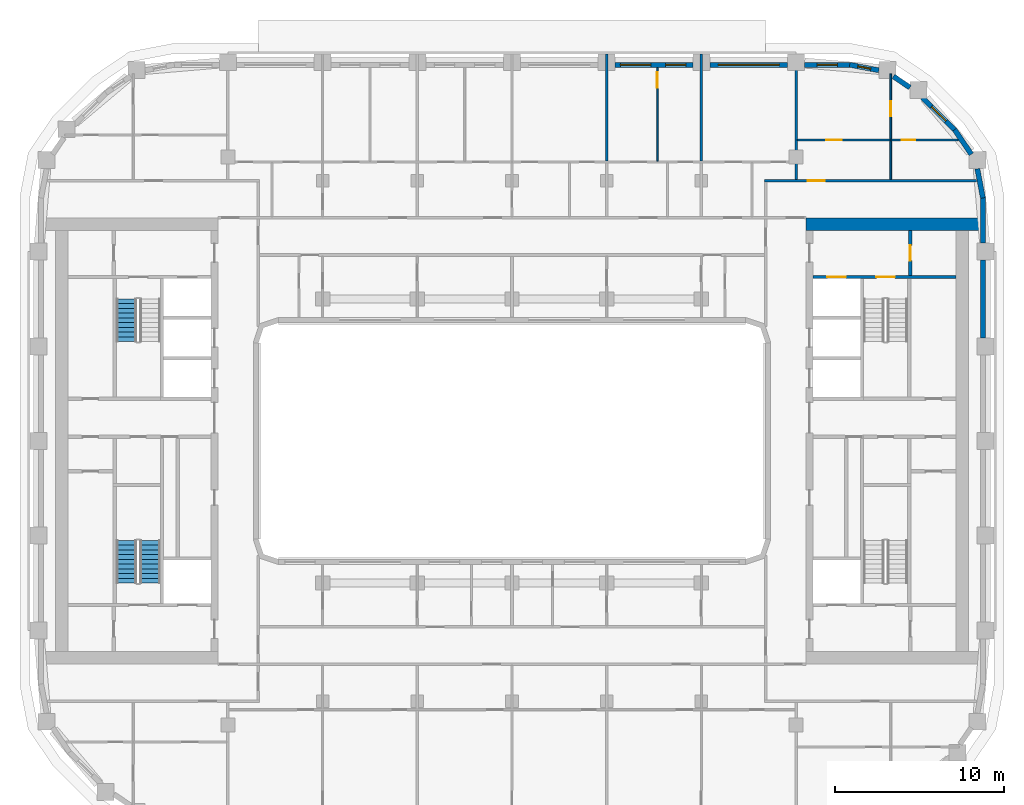
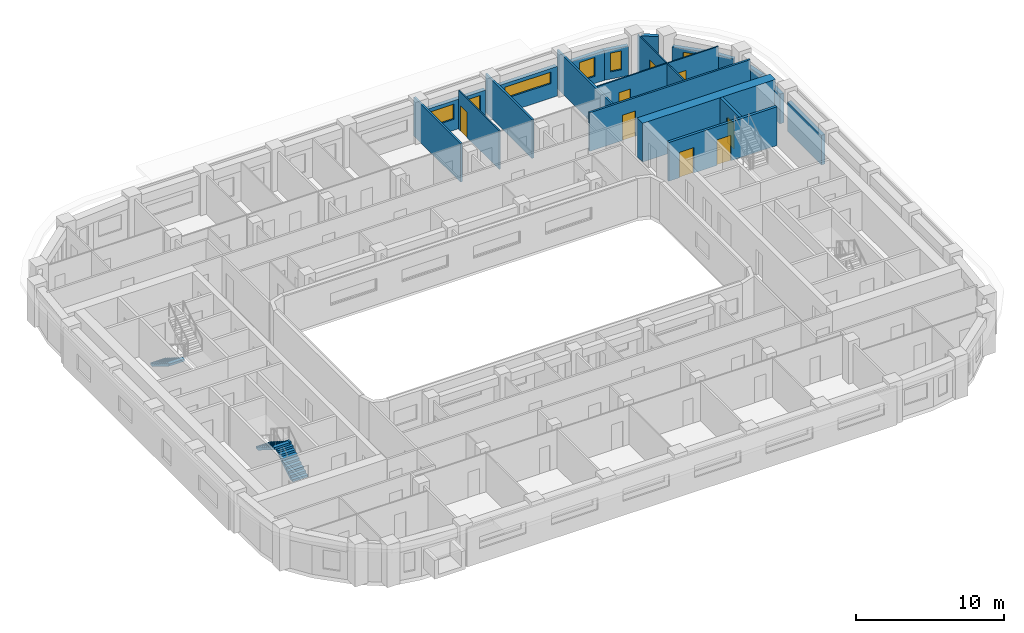
# One storey, part 9 of 22: 21 walls, 8 doors, 6 windows, 3 stair flights, 14 openings, 2 elements without a shape of their own.
"""IFC4 building model written with IfcOpenShell, lengths in metres."""

from ifc_helpers import new_model, si_unit, direction, frame, frame_2d, origin, place, context, subcontext, project, spatial, polyline, rectangle, outline, extrude, material, layer, layer_set, type_object, element, fill, aggregate, save


model = new_model("IFC4")

# Units and contexts
model_context = context("Model", 3, precision=1e-05, world=origin(), true_north=direction((0.0, 1.0)))
body_context = subcontext(model_context, "Body", "Model", "MODEL_VIEW")
ifc_project = project(units=[si_unit("LENGTHUNIT", "METRE"), si_unit("AREAUNIT", "SQUARE_METRE"), si_unit("VOLUMEUNIT", "CUBIC_METRE"), si_unit("PLANEANGLEUNIT", "RADIAN"), si_unit("MASSUNIT", "GRAM", prefix="KILO")], contexts=[model_context])

# Site, building, storey
site_placement = place(None, origin())
site = spatial("IfcSite", under=ifc_project, at=site_placement, CompositionType="ELEMENT")
building_placement = place(site_placement, origin())
building = spatial("IfcBuilding", under=site, at=building_placement, Name="Kiln Ring Residences", CompositionType="ELEMENT")
storey_placement = place(building_placement, frame((0.0, 0.0, 171.10009765625)))
storey = spatial("IfcBuildingStorey", under=building, at=storey_placement, Name="L44", CompositionType="ELEMENT", Elevation=171.10009765625)

# Wall, opening, door
ifc_material_1 = material(Name="Gypsum board on steel studs", Category="steel")
ifc_layer_1 = layer(ifc_material_1, 0.199951171875)
ifc_layer_set_1 = layer_set([ifc_layer_1], Name="CORE-PARTITION-200")
wall_type_1 = type_object("IfcWallType", Name="CORE-PARTITION-200", PredefinedType="PARTITIONING", material=ifc_layer_set_1)
wall_1_placement = place(storey_placement, frame((23.550048828125, 9.800048828125, 0.0), z_axis=(0.0, 0.0, 1.0), x_axis=(0.0, 1.0, 0.0)))
wall_1 = element("IfcWall", 1, at=wall_1_placement, inside=storey, type_object=wall_type_1, Name="Core partition east L44 4", PredefinedType="PARTITIONING", context=body_context, shape_type="SweptSolid", body=[
    extrude(rectangle(XDim=2.64990234375, YDim=0.199951171875, at=frame_2d((1.324951171875, 0.0))), origin(), (0.0, 0.0, 1.0), 3.199951171875),
])
opening_1_placement = place(wall_1_placement, frame((0.875, 0.0, 0.0)))
opening_1 = element("IfcOpeningElement", 2, at=opening_1_placement, cuts=wall_1, Name="Opening L44-CE09", PredefinedType="OPENING", context=body_context, shape_type="SweptSolid", body=[
    extrude(rectangle(XDim=0.89990234375, YDim=2.10009765625, at=frame_2d((0.449951171875, 1.050048828125))), frame((0.0, 0.10986328125, 0.0), z_axis=(0.0, -1.0, 0.0), x_axis=(1.0, 0.0, 0.0)), (0.0, 0.0, 1.0), 0.219970703125),
])
ifc_material_2 = material(Name="Steel door leaf", Category="steel")
door_type_1 = type_object("IfcDoorType", Name="CORE-DOOR-ROOM", OperationType="SINGLE_SWING_LEFT", PredefinedType="DOOR", material=ifc_material_2)
door_1_placement = place(opening_1_placement, origin())
door_1 = element("IfcDoor", 3, at=door_1_placement, inside=storey, type_object=door_type_1, Name="Fire riser room L44-CE09", OperationType="SINGLE_SWING_RIGHT", OverallHeight=2.10009765625, OverallWidth=0.89990234375, PredefinedType="DOOR", context=body_context, shape_type="SweptSolid", body=[
    extrude(rectangle(XDim=0.89990234375, YDim=2.10009765625, at=frame_2d((0.449951171875, 1.050048828125))), frame((0.0, 0.02490234375, 0.0), z_axis=(0.0, -1.0, 0.0), x_axis=(1.0, 0.0, 0.0)), (0.0, 0.0, 1.0), 0.050048828125),
])
fill(opening_1, door_1)

# Wall, openings, doors
ifc_material_3 = material(Name="Concrete C40/50", Category="concrete")
ifc_layer_2 = layer(ifc_material_3, 0.199951171875)
ifc_layer_set_2 = layer_set([ifc_layer_2], Name="CORE-WALL-RC200")
wall_type_2 = type_object("IfcWallType", Name="CORE-WALL-RC200", PredefinedType="SHEAR", material=ifc_layer_set_2)
wall_2_placement = place(storey_placement, frame((17.800048828125, 9.699951171875, 0.0), z_axis=(0.0, 0.0, 1.0), x_axis=(1.0, 0.0, 0.0)))
wall_2 = element("IfcWall", 4, at=wall_2_placement, inside=storey, type_object=wall_type_2, Name="Core wall east L44 9", PredefinedType="SHEAR", context=body_context, shape_type="SweptSolid", body=[
    extrude(rectangle(XDim=8.449951171875, YDim=0.199951171875, at=frame_2d((4.22509765625, 0.0))), origin(), (0.0, 0.0, 1.0), 3.199951171875),
])
opening_2_placement = place(wall_2_placement, frame((0.85009765625, 0.0, 0.0)))
opening_2 = element("IfcOpeningElement", 5, at=opening_2_placement, cuts=wall_2, Name="Opening L44-CE06", PredefinedType="OPENING", context=body_context, shape_type="SweptSolid", body=[
    extrude(rectangle(XDim=1.10009765625, YDim=2.10009765625, at=frame_2d((0.550048828125, 1.050048828125))), frame((0.0, 0.10986328125, 0.0), z_axis=(0.0, -1.0, 0.0), x_axis=(1.0, 0.0, 0.0)), (0.0, 0.0, 1.0), 0.219970703125),
])
opening_3_placement = place(wall_2_placement, frame((3.75, 0.0, 0.0)))
opening_3 = element("IfcOpeningElement", 6, at=opening_3_placement, cuts=wall_2, Name="Opening L44-CE11", PredefinedType="OPENING", context=body_context, shape_type="SweptSolid", body=[
    extrude(rectangle(XDim=1.10009765625, YDim=2.10009765625, at=frame_2d((0.550048828125, 1.050048828125))), frame((0.0, 0.10986328125, 0.0), z_axis=(0.0, -1.0, 0.0), x_axis=(1.0, 0.0, 0.0)), (0.0, 0.0, 1.0), 0.219970703125),
])
ifc_material_4 = material(Name="Steel door leaf", Category="steel")
door_type_2 = type_object("IfcDoorType", Name="CORE-DOOR-LD", OperationType="DOUBLE_DOOR_SLIDING", PredefinedType="DOOR", material=ifc_material_4)
door_2_placement = place(opening_2_placement, origin())
door_2 = element("IfcDoor", 7, at=door_2_placement, inside=storey, type_object=door_type_2, Name="LD E-FF L44-CE06", OperationType="DOUBLE_DOOR_SLIDING", OverallHeight=2.10009765625, OverallWidth=1.10009765625, PredefinedType="DOOR", context=body_context, shape_type="SweptSolid", body=[
    extrude(rectangle(XDim=1.10009765625, YDim=2.10009765625, at=frame_2d((0.550048828125, 1.050048828125))), frame((0.0, 0.02490234375, 0.0), z_axis=(0.0, -1.0, 0.0), x_axis=(1.0, 0.0, 0.0)), (0.0, 0.0, 1.0), 0.050048828125),
])
fill(opening_2, door_2)
ifc_material_5 = material(Name="Steel door leaf", Category="steel")
door_type_3 = type_object("IfcDoorType", Name="CORE-DOOR-STAIR", OperationType="SINGLE_SWING_LEFT", PredefinedType="DOOR", material=ifc_material_5)
door_3_placement = place(opening_3_placement, origin())
door_3 = element("IfcDoor", 8, at=door_3_placement, inside=storey, type_object=door_type_3, Name="Stair E-STN L44-CE11", OperationType="SINGLE_SWING_RIGHT", OverallHeight=2.10009765625, OverallWidth=1.10009765625, PredefinedType="DOOR", context=body_context, shape_type="SweptSolid", body=[
    extrude(rectangle(XDim=1.10009765625, YDim=2.10009765625, at=frame_2d((0.550048828125, 1.050048828125))), frame((0.0, 0.02490234375, 0.0), z_axis=(0.0, -1.0, 0.0), x_axis=(1.0, 0.0, 0.0)), (0.0, 0.0, 1.0), 0.050048828125),
])
fill(opening_3, door_3)

# Walls
ifc_material_6 = material(Name="Concrete C60/75", Category="concrete")
ifc_layer_3 = layer(ifc_material_6, 0.75)
ifc_layer_set_3 = layer_set([ifc_layer_3], Name="CORE-WALL-RC750")
wall_type_3 = type_object("IfcWallType", Name="CORE-WALL-RC750", PredefinedType="SHEAR", material=ifc_layer_set_3)
wall_3_placement = place(storey_placement, frame((17.39990234375, 12.824951171875, 0.0), z_axis=(0.0, 0.0, 1.0), x_axis=(1.0, 0.0, 0.0)))
element("IfcWall", 9, at=wall_3_placement, inside=storey, type_object=wall_type_3, Name="Core wall east L44 4", PredefinedType="SHEAR", context=body_context, shape_type="SweptSolid", body=[
    extrude(rectangle(XDim=10.400146484375, YDim=0.75, at=frame_2d((5.2001953125, 0.0))), origin(), (0.0, 0.0, 1.0), 3.199951171875),
])
ifc_material_7 = material(Name="Brick masonry, dark clay brick", Category="masonry")
ifc_layer_4 = layer(ifc_material_7, 0.300048828125)
ifc_layer_set_4 = layer_set([ifc_layer_4], Name="EW-300 BRICK WALL")
wall_type_4 = type_object("IfcWallType", Name="EW-300 BRICK WALL", PredefinedType="SOLIDWALL", material=ifc_layer_set_4)
wall_4_placement = place(storey_placement, frame((27.85009765625, 6.10009765625, 0.0), z_axis=(0.0, 0.0, 1.0), x_axis=(0.0, 1.0, 0.0)))
element("IfcWall", 10, at=wall_4_placement, inside=storey, type_object=wall_type_4, Name="Facade wall L44 21", PredefinedType="SOLIDWALL", context=body_context, shape_type="SweptSolid", body=[
    extrude(rectangle(XDim=4.599853515625, YDim=0.300048828125, at=frame_2d((2.2998046875, 0.0))), origin(), (0.0, 0.0, 1.0), 2.449951171875),
])
wall_5_placement = place(storey_placement, frame((27.85009765625, 11.699951171875, 0.0), z_axis=(0.0, 0.0, 1.0), x_axis=(0.0, 1.0, 0.0)))
element("IfcWall", 11, at=wall_5_placement, inside=storey, type_object=wall_type_4, Name="Facade wall L44 22", PredefinedType="SOLIDWALL", context=body_context, shape_type="SweptSolid", body=[
    extrude(rectangle(XDim=2.699951171875, YDim=0.300048828125, at=frame_2d((1.35009765625, 0.0))), origin(), (0.0, 0.0, 1.0), 2.449951171875),
])
for number, where, z_axis, x_axis, name in (
    (12, (27.8525390625, 14.371826171875, 0.0), (0.0, 0.0, 1.0), (-0.187259034321, 0.982310569049, 0.0), "Facade wall L44 23"),
    (13, (27.166015625, 16.96044921875, 0.0), (0.0, 0.0, 1.0), (-0.562089443061, 0.82707645233, 0.0), "Facade wall L44 24"),
):
    element("IfcWall", number, at=place(storey_placement, frame(where, z_axis=z_axis, x_axis=x_axis)), inside=storey, type_object=wall_type_4, Name=name, PredefinedType="SOLIDWALL", context=body_context, shape_type="SweptSolid", body=[
        extrude(rectangle(XDim=1.756103515625, YDim=0.300048828125, at=frame_2d((0.8779296875, 0.0))), origin(), (0.0, 0.0, 1.0), 2.449951171875),
    ])

# Wall, opening, window
wall_6_placement = place(storey_placement, frame((26.19677734375, 18.390869140625, 0.0), z_axis=(0.0, 0.0, 1.0), x_axis=(-0.707061571201, 0.707151988282, 0.0)))
wall_6 = element("IfcWall", 14, at=wall_6_placement, inside=storey, type_object=wall_type_4, Name="Facade wall L44 25", PredefinedType="SOLIDWALL", context=body_context, shape_type="SweptSolid", body=[
    extrude(rectangle(XDim=2.7001953125, YDim=0.300048828125, at=frame_2d((1.35009765625, 0.0))), origin(), (0.0, 0.0, 1.0), 2.449951171875),
])
opening_4_placement = place(wall_6_placement, frame((0.75, 0.0, 0.60009765625)))
opening_4 = element("IfcOpeningElement", 15, at=opening_4_placement, cuts=wall_6, Name="Opening W1", PredefinedType="OPENING", context=body_context, shape_type="SweptSolid", body=[
    extrude(rectangle(XDim=1.199951171875, YDim=1.550048828125, at=frame_2d((0.60009765625, 0.77490234375))), frame((0.0, 0.159912109375, 0.0), z_axis=(0.0, -1.0, 0.0), x_axis=(1.0, 0.0, 0.0)), (0.0, 0.0, 1.0), 0.320068359375),
])
ifc_material_8 = material(Name="Aluminium frame with double glazing", Category="aluminium")
window_type_1 = type_object("IfcWindowType", Name="WINDOW 1200 x 1550", PartitioningType="SINGLE_PANEL", PredefinedType="WINDOW", material=ifc_material_8)
window_1_placement = place(opening_4_placement, origin())
window_1 = element("IfcWindow", 16, at=window_1_placement, inside=storey, type_object=window_type_1, Name="Window L44 14", OverallHeight=1.550048828125, OverallWidth=1.199951171875, PartitioningType="SINGLE_PANEL", PredefinedType="WINDOW", context=body_context, shape_type="SweptSolid", body=[
    extrude(rectangle(XDim=1.199951171875, YDim=1.550048828125, at=frame_2d((0.60009765625, 0.77490234375))), frame((0.0, 0.030029296875, 0.0), z_axis=(0.0, -1.0, 0.0), x_axis=(1.0, 0.0, 0.0)), (0.0, 0.0, 1.0), 0.06005859375),
])
fill(opening_4, window_1)

# Wall
wall_7_placement = place(storey_placement, frame((23.533935546875, 20.904296875, 0.0), z_axis=(0.0, 0.0, 1.0), x_axis=(-0.827103906596, 0.56204904385, 0.0)))
element("IfcWall", 17, at=wall_7_placement, inside=storey, type_object=wall_type_4, Name="Facade wall L44 26", PredefinedType="SOLIDWALL", context=body_context, shape_type="SweptSolid", body=[
    extrude(rectangle(XDim=1.17724609375, YDim=0.300048828125, at=frame_2d((0.588623046875, 0.0))), origin(), (0.0, 0.0, 1.0), 3.199951171875),
])

# Wall, opening, window
wall_8_placement = place(storey_placement, frame((21.697021484375, 21.923583984375, 0.0), z_axis=(0.0, 0.0, 1.0), x_axis=(-0.982284988433, 0.187393173565, 0.0)))
wall_8 = element("IfcWall", 18, at=wall_8_placement, inside=storey, type_object=wall_type_4, Name="Facade wall L44 27", PredefinedType="SOLIDWALL", context=body_context, shape_type="SweptSolid", body=[
    extrude(rectangle(XDim=1.756103515625, YDim=0.300048828125, at=frame_2d((0.8779296875, 0.0))), origin(), (0.0, 0.0, 1.0), 2.449951171875),
])
opening_5_placement = place(wall_8_placement, frame((0.47802734375, 0.0, 0.60009765625)))
opening_5 = element("IfcOpeningElement", 19, at=opening_5_placement, cuts=wall_8, Name="Opening W5", PredefinedType="OPENING", context=body_context, shape_type="SweptSolid", body=[
    extrude(rectangle(XDim=0.800048828125, YDim=1.550048828125, at=frame_2d((0.39990234375, 0.77490234375))), frame((0.0, 0.159912109375, 0.0), z_axis=(0.0, -1.0, 0.0), x_axis=(1.0, 0.0, 0.0)), (0.0, 0.0, 1.0), 0.320068359375),
])
ifc_material_9 = material(Name="Aluminium frame with double glazing", Category="aluminium")
window_type_2 = type_object("IfcWindowType", Name="WINDOW 800 x 1550", PartitioningType="SINGLE_PANEL", PredefinedType="WINDOW", material=ifc_material_9)
window_2_placement = place(opening_5_placement, origin())
window_2 = element("IfcWindow", 20, at=window_2_placement, inside=storey, type_object=window_type_2, Name="Window L44 15", OverallHeight=1.550048828125, OverallWidth=0.800048828125, PartitioningType="SINGLE_PANEL", PredefinedType="WINDOW", context=body_context, shape_type="SweptSolid", body=[
    extrude(rectangle(XDim=0.800048828125, YDim=1.550048828125, at=frame_2d((0.39990234375, 0.77490234375))), frame((0.0, 0.030029296875, 0.0), z_axis=(0.0, -1.0, 0.0), x_axis=(1.0, 0.0, 0.0)), (0.0, 0.0, 1.0), 0.06005859375),
])
fill(opening_5, window_2)

wall_9_placement = place(storey_placement, frame((20.0, 22.25, 0.0), z_axis=(0.0, 0.0, 1.0), x_axis=(-1.0, 0.0, 0.0)))
wall_9 = element("IfcWall", 21, at=wall_9_placement, inside=storey, type_object=wall_type_4, Name="Facade wall L44 28", PredefinedType="SOLIDWALL", context=body_context, shape_type="SweptSolid", body=[
    extrude(rectangle(XDim=2.699951171875, YDim=0.300048828125, at=frame_2d((1.35009765625, 0.0))), origin(), (0.0, 0.0, 1.0), 2.449951171875),
])
opening_6_placement = place(wall_9_placement, frame((0.75, 0.0, 0.60009765625)))
opening_6 = element("IfcOpeningElement", 22, at=opening_6_placement, cuts=wall_9, Name="Opening W1", PredefinedType="OPENING", context=body_context, shape_type="SweptSolid", body=[
    extrude(rectangle(XDim=1.199951171875, YDim=1.550048828125, at=frame_2d((0.60009765625, 0.77490234375))), frame((0.0, 0.159912109375, 0.0), z_axis=(0.0, -1.0, 0.0), x_axis=(1.0, 0.0, 0.0)), (0.0, 0.0, 1.0), 0.320068359375),
])
window_3_placement = place(opening_6_placement, origin())
window_3 = element("IfcWindow", 23, at=window_3_placement, inside=storey, type_object=window_type_1, Name="Window L44 16", OverallHeight=1.550048828125, OverallWidth=1.199951171875, PartitioningType="SINGLE_PANEL", PredefinedType="WINDOW", context=body_context, shape_type="SweptSolid", body=[
    extrude(rectangle(XDim=1.199951171875, YDim=1.550048828125, at=frame_2d((0.60009765625, 0.77490234375))), frame((0.0, 0.030029296875, 0.0), z_axis=(0.0, -1.0, 0.0), x_axis=(1.0, 0.0, 0.0)), (0.0, 0.0, 1.0), 0.06005859375),
])
fill(opening_6, window_3)

wall_10_placement = place(storey_placement, frame((16.300048828125, 22.25, 0.0), z_axis=(0.0, 0.0, 1.0), x_axis=(-1.0, 0.0, 0.0)))
wall_10 = element("IfcWall", 24, at=wall_10_placement, inside=storey, type_object=wall_type_4, Name="Facade wall L44 29", PredefinedType="SOLIDWALL", context=body_context, shape_type="SweptSolid", body=[
    extrude(rectangle(XDim=4.60009765625, YDim=0.300048828125, at=frame_2d((2.300048828125, 0.0))), origin(), (0.0, 0.0, 1.0), 2.449951171875),
])
opening_7_placement = place(wall_10_placement, frame((0.5, 0.0, 1.199951171875)))
opening_7 = element("IfcOpeningElement", 25, at=opening_7_placement, cuts=wall_10, Name="Opening W4", PredefinedType="OPENING", context=body_context, shape_type="SweptSolid", body=[
    extrude(rectangle(XDim=3.60009765625, YDim=0.949951171875, at=frame_2d((1.800048828125, 0.47509765625))), frame((0.0, 0.159912109375, 0.0), z_axis=(0.0, -1.0, 0.0), x_axis=(1.0, 0.0, 0.0)), (0.0, 0.0, 1.0), 0.320068359375),
])
ifc_material_10 = material(Name="Aluminium frame with double glazing", Category="aluminium")
window_type_3 = type_object("IfcWindowType", Name="WINDOW 3600 x 950", PartitioningType="SINGLE_PANEL", PredefinedType="WINDOW", material=ifc_material_10)
window_4_placement = place(opening_7_placement, origin())
window_4 = element("IfcWindow", 26, at=window_4_placement, inside=storey, type_object=window_type_3, Name="Window L44 17", OverallHeight=0.949951171875, OverallWidth=3.60009765625, PartitioningType="SINGLE_PANEL", PredefinedType="WINDOW", context=body_context, shape_type="SweptSolid", body=[
    extrude(rectangle(XDim=3.60009765625, YDim=0.949951171875, at=frame_2d((1.800048828125, 0.47509765625))), frame((0.0, 0.030029296875, 0.0), z_axis=(0.0, -1.0, 0.0), x_axis=(1.0, 0.0, 0.0)), (0.0, 0.0, 1.0), 0.06005859375),
])
fill(opening_7, window_4)

# Wall, openings, windows
wall_11_placement = place(storey_placement, frame((10.699951171875, 22.25, 0.0), z_axis=(0.0, 0.0, 1.0), x_axis=(-1.0, 0.0, 0.0)))
wall_11 = element("IfcWall", 27, at=wall_11_placement, inside=storey, type_object=wall_type_4, Name="Facade wall L44 30", PredefinedType="SOLIDWALL", context=body_context, shape_type="SweptSolid", body=[
    extrude(rectangle(XDim=4.599853515625, YDim=0.300048828125, at=frame_2d((2.2998046875, 0.0))), origin(), (0.0, 0.0, 1.0), 2.449951171875),
])
opening_8_placement = place(wall_11_placement, frame((0.41259765625, 0.0, 0.60009765625)))
opening_8 = element("IfcOpeningElement", 28, at=opening_8_placement, cuts=wall_11, Name="Opening W1", PredefinedType="OPENING", context=body_context, shape_type="SweptSolid", body=[
    extrude(rectangle(XDim=1.199951171875, YDim=1.550048828125, at=frame_2d((0.60009765625, 0.77490234375))), frame((0.0, 0.159912109375, 0.0), z_axis=(0.0, -1.0, 0.0), x_axis=(1.0, 0.0, 0.0)), (0.0, 0.0, 1.0), 0.320068359375),
])
opening_9_placement = place(wall_11_placement, frame((2.487548828125, 0.0, 0.89990234375)))
opening_9 = element("IfcOpeningElement", 29, at=opening_9_placement, cuts=wall_11, Name="Opening W2", PredefinedType="OPENING", context=body_context, shape_type="SweptSolid", body=[
    extrude(rectangle(XDim=1.800048828125, YDim=1.25, at=frame_2d((0.89990234375, 0.625))), frame((0.0, 0.159912109375, 0.0), z_axis=(0.0, -1.0, 0.0), x_axis=(1.0, 0.0, 0.0)), (0.0, 0.0, 1.0), 0.320068359375),
])
window_5_placement = place(opening_8_placement, origin())
window_5 = element("IfcWindow", 30, at=window_5_placement, inside=storey, type_object=window_type_1, Name="Window L44 18", OverallHeight=1.550048828125, OverallWidth=1.199951171875, PartitioningType="SINGLE_PANEL", PredefinedType="WINDOW", context=body_context, shape_type="SweptSolid", body=[
    extrude(rectangle(XDim=1.199951171875, YDim=1.550048828125, at=frame_2d((0.60009765625, 0.77490234375))), frame((0.0, 0.030029296875, 0.0), z_axis=(0.0, -1.0, 0.0), x_axis=(1.0, 0.0, 0.0)), (0.0, 0.0, 1.0), 0.06005859375),
])
fill(opening_8, window_5)
ifc_material_11 = material(Name="Aluminium frame with double glazing", Category="aluminium")
window_type_4 = type_object("IfcWindowType", Name="WINDOW 1800 x 1250", PartitioningType="SINGLE_PANEL", PredefinedType="WINDOW", material=ifc_material_11)
window_6_placement = place(opening_9_placement, origin())
window_6 = element("IfcWindow", 31, at=window_6_placement, inside=storey, type_object=window_type_4, Name="Window L44 19", OverallHeight=1.25, OverallWidth=1.800048828125, PartitioningType="SINGLE_PANEL", PredefinedType="WINDOW", context=body_context, shape_type="SweptSolid", body=[
    extrude(rectangle(XDim=1.800048828125, YDim=1.25, at=frame_2d((0.89990234375, 0.625))), frame((0.0, 0.030029296875, 0.0), z_axis=(0.0, -1.0, 0.0), x_axis=(1.0, 0.0, 0.0)), (0.0, 0.0, 1.0), 0.06005859375),
])
fill(opening_9, window_6)

# Wall, openings, doors
ifc_material_12 = material(Name="Gypsum board on steel studs", Category="steel")
ifc_layer_5 = layer(ifc_material_12, 0.10009765625)
ifc_layer_set_5 = layer_set([ifc_layer_5], Name="PARTITION-100")
wall_type_5 = type_object("IfcWallType", Name="PARTITION-100", PredefinedType="PARTITIONING", material=ifc_layer_set_5)
wall_12_placement = place(storey_placement, frame((16.875, 17.800048828125, 0.0), z_axis=(0.0, 0.0, 1.0), x_axis=(1.0, 0.0, 0.0)))
wall_12 = element("IfcWall", 32, at=wall_12_placement, inside=storey, type_object=wall_type_5, Name="Partition 012", PredefinedType="PARTITIONING", context=body_context, shape_type="SweptSolid", body=[
    extrude(rectangle(XDim=9.51904296875, YDim=0.10009765625, at=frame_2d((4.759521484375, 0.0))), origin(), (0.0, 0.0, 1.0), 3.199951171875),
])
opening_10_placement = place(wall_12_placement, frame((6.175048828125, 0.0, 0.0)))
opening_10 = element("IfcOpeningElement", 33, at=opening_10_placement, cuts=wall_12, Name="Opening L44-D037", PredefinedType="OPENING", context=body_context, shape_type="SweptSolid", body=[
    extrude(rectangle(XDim=0.800048828125, YDim=2.10009765625, at=frame_2d((0.39990234375, 1.050048828125))), frame((0.0, 0.06005859375, 0.0), z_axis=(0.0, -1.0, 0.0), x_axis=(1.0, 0.0, 0.0)), (0.0, 0.0, 1.0), 0.1201171875),
])
opening_11_placement = place(wall_12_placement, frame((1.72509765625, 0.0, 0.0)))
opening_11 = element("IfcOpeningElement", 34, at=opening_11_placement, cuts=wall_12, Name="Opening L44-D038", PredefinedType="OPENING", context=body_context, shape_type="SweptSolid", body=[
    extrude(rectangle(XDim=0.89990234375, YDim=2.10009765625, at=frame_2d((0.449951171875, 1.050048828125))), frame((0.0, 0.06005859375, 0.0), z_axis=(0.0, -1.0, 0.0), x_axis=(1.0, 0.0, 0.0)), (0.0, 0.0, 1.0), 0.1201171875),
])
ifc_material_13 = material(Name="Timber door leaf", Category="wood")
door_type_4 = type_object("IfcDoorType", Name="FLAT-DOOR-800-PL", OperationType="SINGLE_SWING_LEFT", PredefinedType="DOOR", material=ifc_material_13)
door_4_placement = place(opening_10_placement, origin())
door_4 = element("IfcDoor", 35, at=door_4_placement, inside=storey, type_object=door_type_4, Name="Door L44-D037", OperationType="SINGLE_SWING_LEFT", OverallHeight=2.10009765625, OverallWidth=0.800048828125, PredefinedType="DOOR", context=body_context, shape_type="SweptSolid", body=[
    extrude(rectangle(XDim=0.800048828125, YDim=2.10009765625, at=frame_2d((0.39990234375, 1.050048828125))), frame((0.0, 0.02490234375, 0.0), z_axis=(0.0, -1.0, 0.0), x_axis=(1.0, 0.0, 0.0)), (0.0, 0.0, 1.0), 0.050048828125),
])
fill(opening_10, door_4)
ifc_material_14 = material(Name="Timber door leaf", Category="wood")
door_type_5 = type_object("IfcDoorType", Name="FLAT-DOOR-900-PL", OperationType="SINGLE_SWING_LEFT", PredefinedType="DOOR", material=ifc_material_14)
door_5_placement = place(opening_11_placement, origin())
door_5 = element("IfcDoor", 36, at=door_5_placement, inside=storey, type_object=door_type_5, Name="Door L44-D038", OperationType="SINGLE_SWING_RIGHT", OverallHeight=2.10009765625, OverallWidth=0.89990234375, PredefinedType="DOOR", context=body_context, shape_type="SweptSolid", body=[
    extrude(rectangle(XDim=0.89990234375, YDim=2.10009765625, at=frame_2d((0.449951171875, 1.050048828125))), frame((0.0, 0.02490234375, 0.0), z_axis=(0.0, -1.0, 0.0), x_axis=(1.0, 0.0, 0.0)), (0.0, 0.0, 1.0), 0.050048828125),
])
fill(opening_11, door_5)

# Wall, opening, door
wall_13_placement = place(storey_placement, frame((8.60009765625, 16.550048828125, 0.0), z_axis=(0.0, 0.0, 1.0), x_axis=(0.0, 1.0, 0.0)))
wall_13 = element("IfcWall", 37, at=wall_13_placement, inside=storey, type_object=wall_type_5, Name="Partition 055", PredefinedType="PARTITIONING", context=body_context, shape_type="SweptSolid", body=[
    extrude(rectangle(XDim=5.530029296875, YDim=0.10009765625, at=frame_2d((2.76513671875, 0.0))), origin(), (0.0, 0.0, 1.0), 3.199951171875),
])
opening_12_placement = place(wall_13_placement, frame((4.35009765625, 0.0, 0.0)))
opening_12 = element("IfcOpeningElement", 38, at=opening_12_placement, cuts=wall_13, Name="Opening L44-D032", PredefinedType="OPENING", context=body_context, shape_type="SweptSolid", body=[
    extrude(rectangle(XDim=0.89990234375, YDim=2.10009765625, at=frame_2d((0.449951171875, 1.050048828125))), frame((0.0, 0.06005859375, 0.0), z_axis=(0.0, -1.0, 0.0), x_axis=(1.0, 0.0, 0.0)), (0.0, 0.0, 1.0), 0.1201171875),
])
door_6_placement = place(opening_12_placement, origin())
door_6 = element("IfcDoor", 39, at=door_6_placement, inside=storey, type_object=door_type_5, Name="Door L44-D032", OperationType="SINGLE_SWING_RIGHT", OverallHeight=2.10009765625, OverallWidth=0.89990234375, PredefinedType="DOOR", context=body_context, shape_type="SweptSolid", body=[
    extrude(rectangle(XDim=0.89990234375, YDim=2.10009765625, at=frame_2d((0.449951171875, 1.050048828125))), frame((0.0, 0.02490234375, 0.0), z_axis=(0.0, -1.0, 0.0), x_axis=(1.0, 0.0, 0.0)), (0.0, 0.0, 1.0), 0.050048828125),
])
fill(opening_12, door_6)

# Wall
wall_14_placement = place(storey_placement, frame((22.39990234375, 15.47509765625, 0.0), z_axis=(0.0, 0.0, 1.0), x_axis=(0.0, 1.0, 0.0)))
element("IfcWall", 40, at=wall_14_placement, inside=storey, type_object=wall_type_5, Name="Partition 073", PredefinedType="PARTITIONING", context=body_context, shape_type="SweptSolid", body=[
    extrude(rectangle(XDim=2.27490234375, YDim=0.10009765625, at=frame_2d((1.137451171875, 0.0))), origin(), (0.0, 0.0, 1.0), 3.199951171875),
])

# Wall, opening, door
wall_15_placement = place(storey_placement, frame((22.39990234375, 17.85009765625, 0.0), z_axis=(0.0, 0.0, 1.0), x_axis=(0.0, 1.0, 0.0)))
wall_15 = element("IfcWall", 41, at=wall_15_placement, inside=storey, type_object=wall_type_5, Name="Partition 074", PredefinedType="PARTITIONING", context=body_context, shape_type="SweptSolid", body=[
    extrude(rectangle(XDim=3.869873046875, YDim=0.10009765625, at=frame_2d((1.93505859375, 0.0))), origin(), (0.0, 0.0, 1.0), 3.199951171875),
])
opening_13_placement = place(wall_15_placement, frame((1.35009765625, 0.0, 0.0)))
opening_13 = element("IfcOpeningElement", 42, at=opening_13_placement, cuts=wall_15, Name="Opening L44-D039", PredefinedType="OPENING", context=body_context, shape_type="SweptSolid", body=[
    extrude(rectangle(XDim=0.89990234375, YDim=2.10009765625, at=frame_2d((0.449951171875, 1.050048828125))), frame((0.0, 0.06005859375, 0.0), z_axis=(0.0, -1.0, 0.0), x_axis=(1.0, 0.0, 0.0)), (0.0, 0.0, 1.0), 0.1201171875),
])
door_7_placement = place(opening_13_placement, origin())
door_7 = element("IfcDoor", 43, at=door_7_placement, inside=storey, type_object=door_type_5, Name="Door L44-D039", OperationType="SINGLE_SWING_LEFT", OverallHeight=2.10009765625, OverallWidth=0.89990234375, PredefinedType="DOOR", context=body_context, shape_type="SweptSolid", body=[
    extrude(rectangle(XDim=0.89990234375, YDim=2.10009765625, at=frame_2d((0.449951171875, 1.050048828125))), frame((0.0, 0.02490234375, 0.0), z_axis=(0.0, -1.0, 0.0), x_axis=(1.0, 0.0, 0.0)), (0.0, 0.0, 1.0), 0.050048828125),
])
fill(opening_13, door_7)

ifc_material_15 = material(Name="Brick masonry partition", Category="masonry")
ifc_layer_6 = layer(ifc_material_15, 0.14990234375)
ifc_layer_set_6 = layer_set([ifc_layer_6], Name="PARTITION-150-ei60")
wall_type_6 = type_object("IfcWallType", Name="PARTITION-150-ei60", PredefinedType="PARTITIONING", material=ifc_layer_set_6)
wall_16_placement = place(storey_placement, frame((14.925048828125, 15.39990234375, 0.0), z_axis=(0.0, 0.0, 1.0), x_axis=(1.0, 0.0, 0.0)))
wall_16 = element("IfcWall", 44, at=wall_16_placement, inside=storey, type_object=wall_type_6, Name="Partition 010", PredefinedType="PARTITIONING", context=body_context, shape_type="SweptSolid", body=[
    extrude(rectangle(XDim=12.558837890625, YDim=0.14990234375, at=frame_2d((6.279296875, 0.0))), origin(), (0.0, 0.0, 1.0), 3.199951171875),
])
opening_14_placement = place(wall_16_placement, frame((2.574951171875, 0.0, 0.0)))
opening_14 = element("IfcOpeningElement", 45, at=opening_14_placement, cuts=wall_16, Name="Opening L44-D036", PredefinedType="OPENING", context=body_context, shape_type="SweptSolid", body=[
    extrude(rectangle(XDim=1.0, YDim=2.10009765625, at=frame_2d((0.5, 1.050048828125))), frame((0.0, 0.0849609375, 0.0), z_axis=(0.0, -1.0, 0.0), x_axis=(1.0, 0.0, 0.0)), (0.0, 0.0, 1.0), 0.169921875),
])
ifc_material_16 = material(Name="Steel faced fire door leaf", Category="steel")
door_type_6 = type_object("IfcDoorType", Name="FLAT-DOOR-1000-FR", OperationType="SINGLE_SWING_LEFT", PredefinedType="DOOR", material=ifc_material_16)
door_8_placement = place(opening_14_placement, origin())
door_8 = element("IfcDoor", 46, at=door_8_placement, inside=storey, type_object=door_type_6, Name="Door L44-D036", OperationType="SINGLE_SWING_RIGHT", OverallHeight=2.10009765625, OverallWidth=1.0, PredefinedType="DOOR", context=body_context, shape_type="SweptSolid", body=[
    extrude(rectangle(XDim=1.0, YDim=2.10009765625, at=frame_2d((0.5, 1.050048828125))), frame((0.0, 0.02490234375, 0.0), z_axis=(0.0, -1.0, 0.0), x_axis=(1.0, 0.0, 0.0)), (0.0, 0.0, 1.0), 0.050048828125),
])
fill(opening_14, door_8)

# Walls
for number, where, z_axis, x_axis, name in (
    (47, (5.60009765625, 16.550048828125, 0.0), (0.0, 0.0, 1.0), (0.0, 1.0, 0.0), "Partition 054"),
    (48, (11.199951171875, 16.550048828125, 0.0), (0.0, 0.0, 1.0), (0.0, 1.0, 0.0), "Partition 062"),
):
    element("IfcWall", number, at=place(storey_placement, frame(where, z_axis=z_axis, x_axis=x_axis)), inside=storey, type_object=wall_type_6, Name=name, PredefinedType="PARTITIONING", context=body_context, shape_type="SweptSolid", body=[
        extrude(rectangle(XDim=6.329833984375, YDim=0.14990234375, at=frame_2d((3.1650390625, 0.0))), origin(), (0.0, 0.0, 1.0), 3.199951171875),
    ])
wall_17_placement = place(storey_placement, frame((16.800048828125, 15.47509765625, 0.0), z_axis=(0.0, 0.0, 1.0), x_axis=(0.0, 1.0, 0.0)))
element("IfcWall", 49, at=wall_17_placement, inside=storey, type_object=wall_type_6, Name="Partition 070", PredefinedType="PARTITIONING", context=body_context, shape_type="SweptSolid", body=[
    extrude(rectangle(XDim=7.40478515625, YDim=0.14990234375, at=frame_2d((3.702392578125, 0.0))), origin(), (0.0, 0.0, 1.0), 3.199951171875),
])

# Stair, stair flight
ifc_material_17 = material(Name="Concrete C40/50", Category="concrete")
stair_type = type_object("IfcStairType", Name="CORE-STAIR", PredefinedType="HALF_TURN_STAIR", material=ifc_material_17)
placement = place(storey_placement, origin())
stair_1 = element("IfcStair", 50, at=placement, inside=storey, type_object=stair_type, Name="L44 stair W-STN", PredefinedType="HALF_TURN_STAIR")
ifc_material_18 = material(Name="Concrete C40/50", Category="concrete")
stair_flight_type = type_object("IfcStairFlightType", Name="CORE-STAIR-FLIGHT", PredefinedType="STRAIGHT", material=ifc_material_18)
stair_flight_1_placement = place(storey_placement, frame((-22.800048828125, 8.39990234375, 0.0), z_axis=(0.0, 0.0, 1.0), x_axis=(0.0, -1.0, 0.0)))
stair_flight_1 = element("IfcStairFlight", 51, at=stair_flight_1_placement, type_object=stair_flight_type, Name="W-STN flight 1", NumberOfRisers=10, NumberOfTreads=9, PredefinedType="STRAIGHT", RiserHeight=0.175, TreadLength=0.28, context=body_context, shape_type="SweptSolid", body=[
    extrude(outline(polyline([(0.0, 0.0), (0.0, 0.175048828125), (0.280029296875, 0.175048828125), (0.280029296875, 0.35009765625), (0.56005859375, 0.35009765625), (0.56005859375, 0.52490234375), (0.840087890625, 0.52490234375), (0.840087890625, 0.699951171875), (1.1201171875, 0.699951171875), (1.1201171875, 0.875), (1.39990234375, 0.875), (1.39990234375, 1.050048828125), (1.679931640625, 1.050048828125), (1.679931640625, 1.22509765625), (1.9599609375, 1.22509765625), (1.9599609375, 1.39990234375), (2.239990234375, 1.39990234375), (2.239990234375, 1.574951171875), (2.52001953125, 1.574951171875), (2.52001953125, 1.75), (2.52001953125, 1.398193359375), (0.28271484375, 0.0), (0.0, 0.0)])), frame((0.0, 0.60009765625, 0.0), z_axis=(0.0, -1.0, 0.0), x_axis=(1.0, 0.0, 0.0)), (0.0, 0.0, 1.0), 1.199951171875),
])
aggregate(stair_1, [stair_flight_1])

# Stair, stair flights
stair_2 = element("IfcStair", 52, at=placement, inside=storey, type_object=stair_type, Name="L44 stair W-STS", PredefinedType="HALF_TURN_STAIR")
stair_flight_2_placement = place(storey_placement, frame((-21.39990234375, -8.39990234375, 0.0), z_axis=(0.0, 0.0, 1.0), x_axis=(0.0, 1.0, 0.0)))
stair_flight_2 = element("IfcStairFlight", 53, at=stair_flight_2_placement, type_object=stair_flight_type, Name="W-STS flight 1", NumberOfRisers=10, NumberOfTreads=9, PredefinedType="STRAIGHT", RiserHeight=0.175, TreadLength=0.28, context=body_context, shape_type="SweptSolid", body=[
    extrude(outline(polyline([(0.0, 0.0), (0.0, 0.175048828125), (0.280029296875, 0.175048828125), (0.280029296875, 0.35009765625), (0.56005859375, 0.35009765625), (0.56005859375, 0.52490234375), (0.840087890625, 0.52490234375), (0.840087890625, 0.699951171875), (1.1201171875, 0.699951171875), (1.1201171875, 0.875), (1.39990234375, 0.875), (1.39990234375, 1.050048828125), (1.679931640625, 1.050048828125), (1.679931640625, 1.22509765625), (1.9599609375, 1.22509765625), (1.9599609375, 1.39990234375), (2.239990234375, 1.39990234375), (2.239990234375, 1.574951171875), (2.52001953125, 1.574951171875), (2.52001953125, 1.75), (2.52001953125, 1.398193359375), (0.28271484375, 0.0), (0.0, 0.0)])), frame((0.0, 0.60009765625, 0.0), z_axis=(0.0, -1.0, 0.0), x_axis=(1.0, 0.0, 0.0)), (0.0, 0.0, 1.0), 1.199951171875),
])
stair_flight_3_placement = place(storey_placement, frame((-22.800048828125, -5.8798828125, 1.75), z_axis=(0.0, 0.0, 1.0), x_axis=(0.0, -1.0, 0.0)))
stair_flight_3 = element("IfcStairFlight", 54, at=stair_flight_3_placement, type_object=stair_flight_type, Name="W-STS flight 2", NumberOfRisers=10, NumberOfTreads=9, PredefinedType="STRAIGHT", RiserHeight=0.175, TreadLength=0.28, context=body_context, shape_type="SweptSolid", body=[
    extrude(outline(polyline([(0.0, 0.0), (0.0, 0.175048828125), (0.280029296875, 0.175048828125), (0.280029296875, 0.35009765625), (0.56005859375, 0.35009765625), (0.56005859375, 0.52490234375), (0.840087890625, 0.52490234375), (0.840087890625, 0.699951171875), (1.1201171875, 0.699951171875), (1.1201171875, 0.875), (1.39990234375, 0.875), (1.39990234375, 1.050048828125), (1.679931640625, 1.050048828125), (1.679931640625, 1.22509765625), (1.9599609375, 1.22509765625), (1.9599609375, 1.39990234375), (2.239990234375, 1.39990234375), (2.239990234375, 1.574951171875), (2.52001953125, 1.574951171875), (2.52001953125, 1.75), (2.52001953125, 1.398193359375), (0.28271484375, 0.0), (0.0, 0.0)])), frame((0.0, 0.60009765625, 0.0), z_axis=(0.0, -1.0, 0.0), x_axis=(1.0, 0.0, 0.0)), (0.0, 0.0, 1.0), 1.199951171875),
])
aggregate(stair_2, [stair_flight_2, stair_flight_3])

save(model, "model.ifc")
